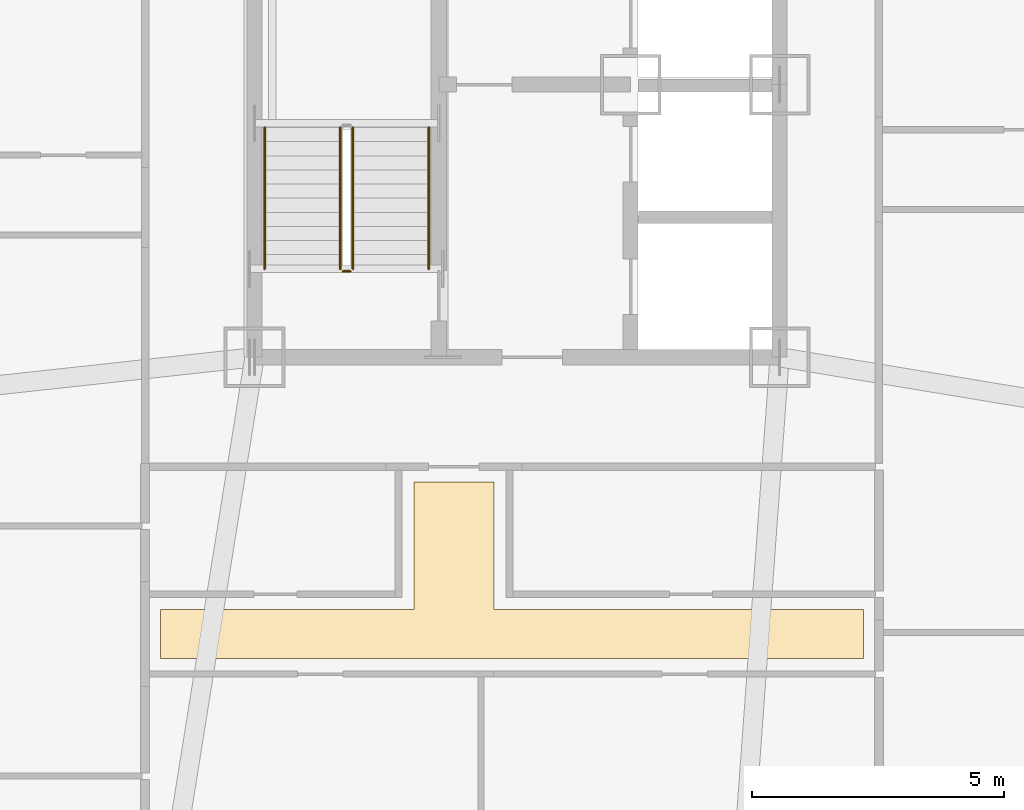
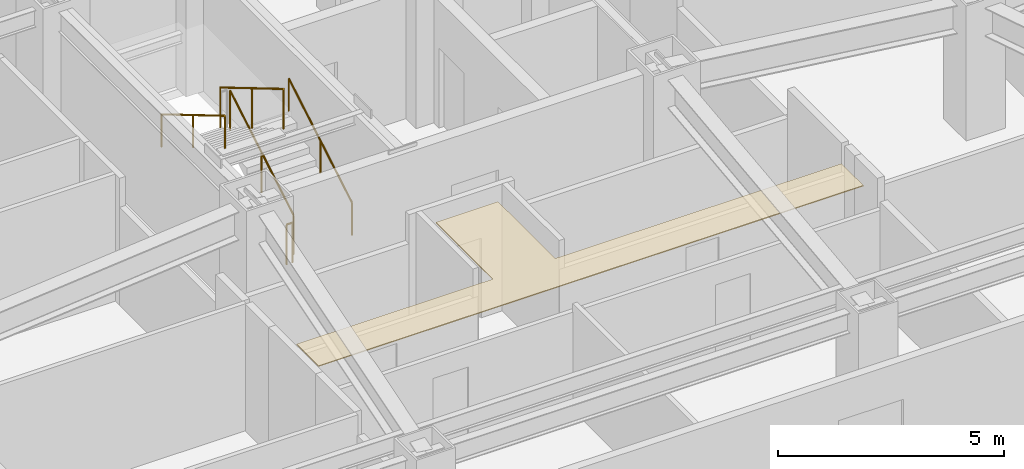
# One storey, part 13 of 15: 5 railings, 1 covering.
"""IFC4 building model written with IfcOpenShell, lengths in metres."""

from ifc_helpers import new_model, si_unit, direction, frame, origin, origin_2d, place, context, subcontext, project, spatial, polyline, circle, outline, extrude, material, layer, layer_set, type_object, element, save


model = new_model("IFC4")

# Units and contexts
model_context = context("Model", 3, precision=1e-05, world=origin(), true_north=direction((0.0, 1.0)))
body_context = subcontext(model_context, "Body", "Model", "MODEL_VIEW")
ifc_project = project(units=[si_unit("LENGTHUNIT", "METRE"), si_unit("AREAUNIT", "SQUARE_METRE"), si_unit("VOLUMEUNIT", "CUBIC_METRE"), si_unit("PLANEANGLEUNIT", "RADIAN"), si_unit("MASSUNIT", "GRAM", prefix="KILO")], contexts=[model_context])

# Site, building, storey
site_placement = place(None, origin())
site = spatial("IfcSite", under=ifc_project, at=site_placement, CompositionType="ELEMENT")
building_placement = place(site_placement, origin())
building = spatial("IfcBuilding", under=site, at=building_placement, Name="Khamvora Tower", CompositionType="ELEMENT")
storey_placement = place(building_placement, frame((0.0, 0.0, 101.89990234375)))
storey = spatial("IfcBuildingStorey", under=building, at=storey_placement, Name="L25", CompositionType="ELEMENT", Elevation=101.89990234375)

# Covering
ifc_material_1 = material(Name="Perforated Mineral-Fibre Acoustic Ceiling Tile", Category="gypsum")
ifc_layer = layer(ifc_material_1, 0.02490234375)
ifc_layer_set = layer_set([ifc_layer], Name="Perforated Mineral-Fibre Acoustic Ceiling Tile")
covering_type = type_object("IfcCoveringType", Name="COV-CEIL-600", PredefinedType="CEILING", material=ifc_layer_set)
covering_placement = place(storey_placement, frame((0.0, 0.0, 3.150146484375)))
element("IfcCovering", 1, at=covering_placement, inside=storey, type_object=covering_type, Name="L25 Apartment 25SA Living and Dining Room acoustic ceiling panel", PredefinedType="CEILING", context=body_context, shape_type="SweptSolid", body=[
    extrude(outline(polyline([(27.139892578125, 13.030029296875), (27.139892578125, 14.0), (32.155029296875, 14.0), (32.155029296875, 16.530029296875), (33.7451171875, 16.530029296875), (33.7451171875, 14.0), (41.06005859375, 14.0), (41.06005859375, 13.030029296875), (27.139892578125, 13.030029296875)])), origin(), (0.0, 0.0, 1.0), 0.02490234375),
])

# Railings
ifc_material_2 = material(Name="Brushed Stainless Steel 316", Category="steel")
railing_type_1 = type_object("IfcRailingType", Name="RAL-HDR-920", PredefinedType="HANDRAIL", material=ifc_material_2)
railing_1_placement = place(storey_placement, frame((32.449951171875, 20.75, 0.166015625)))
element("IfcRailing", 2, at=railing_1_placement, inside=storey, type_object=railing_type_1, Name="L25 ST-01 stair handrail 1", PredefinedType="HANDRAIL", context=body_context, shape_type="SweptSolid", body=[
    extrude(circle(Radius=0.02392578125, at=origin_2d()), frame((0.0, 0.0, 0.8759765625), z_axis=(0.0, 0.860306154799, 0.50977771628), x_axis=(-1.0, 0.0, 0.0)), (0.0, 0.0, 1.0), 3.254638671875),
    extrude(circle(Radius=0.02099609375, at=origin_2d()), origin(), (0.0, 0.0, 1.0), 0.851806640625),
    extrude(circle(Radius=0.02099609375, at=origin_2d()), frame((0.0, 1.39990234375, 0.82958984375)), (0.0, 0.0, 1.0), 0.851806640625),
    extrude(circle(Radius=0.02099609375, at=origin_2d()), frame((0.0, 2.800048828125, 1.6591796875)), (0.0, 0.0, 1.0), 0.851806640625),
])
railing_2_placement = place(storey_placement, frame((29.199951171875, 23.550048828125, 1.990966796875)))
element("IfcRailing", 3, at=railing_2_placement, inside=storey, type_object=railing_type_1, Name="L25 ST-01 stair handrail 2", PredefinedType="HANDRAIL", context=body_context, shape_type="SweptSolid", body=[
    extrude(circle(Radius=0.02392578125, at=origin_2d()), frame((0.0, 0.0, 0.8759765625), z_axis=(0.0, -0.860306154799, 0.50977771628), x_axis=(1.0, 0.0, 0.0)), (0.0, 0.0, 1.0), 3.254638671875),
    extrude(circle(Radius=0.02099609375, at=origin_2d()), origin(), (0.0, 0.0, 1.0), 0.851806640625),
    extrude(circle(Radius=0.02099609375, at=origin_2d()), frame((0.0, -1.39990234375, 0.82958984375)), (0.0, 0.0, 1.0), 0.851806640625),
    extrude(circle(Radius=0.02099609375, at=origin_2d()), frame((0.0, -2.800048828125, 1.6591796875)), (0.0, 0.0, 1.0), 0.851806640625),
])
ifc_material_3 = material(Name="Stainless Steel 316", Category="steel")
railing_type_2 = type_object("IfcRailingType", Name="RAL-STG-1100", PredefinedType="GUARDRAIL", material=ifc_material_3)
railing_3_placement = place(storey_placement, frame((30.949951171875, 20.75, 0.166015625)))
element("IfcRailing", 4, at=railing_3_placement, inside=storey, type_object=railing_type_2, Name="L25 ST-01 stair guard 1", PredefinedType="GUARDRAIL", context=body_context, shape_type="SweptSolid", body=[
    extrude(circle(Radius=0.02392578125, at=origin_2d()), frame((0.0, 0.0, 1.076171875), z_axis=(0.0, 0.860306154799, 0.50977771628), x_axis=(-1.0, 0.0, 0.0)), (0.0, 0.0, 1.0), 3.254638671875),
    extrude(circle(Radius=0.02099609375, at=origin_2d()), origin(), (0.0, 0.0, 1.0), 1.052001953125),
    extrude(circle(Radius=0.02099609375, at=origin_2d()), frame((0.0, 1.39990234375, 0.82958984375)), (0.0, 0.0, 1.0), 1.052001953125),
    extrude(circle(Radius=0.02099609375, at=origin_2d()), frame((0.0, 2.800048828125, 1.6591796875)), (0.0, 0.0, 1.0), 1.052001953125),
])
railing_4_placement = place(storey_placement, frame((30.699951171875, 23.550048828125, 1.990966796875)))
element("IfcRailing", 5, at=railing_4_placement, inside=storey, type_object=railing_type_2, Name="L25 ST-01 stair guard 3", PredefinedType="GUARDRAIL", context=body_context, shape_type="SweptSolid", body=[
    extrude(circle(Radius=0.02392578125, at=origin_2d()), frame((0.0, 0.0, 1.076171875), z_axis=(0.0, -0.860306154799, 0.50977771628), x_axis=(1.0, 0.0, 0.0)), (0.0, 0.0, 1.0), 3.254638671875),
    extrude(circle(Radius=0.02099609375, at=origin_2d()), origin(), (0.0, 0.0, 1.0), 1.052001953125),
    extrude(circle(Radius=0.02099609375, at=origin_2d()), frame((0.0, -1.39990234375, 0.82958984375)), (0.0, 0.0, 1.0), 1.052001953125),
    extrude(circle(Radius=0.02099609375, at=origin_2d()), frame((0.0, -2.800048828125, 1.6591796875)), (0.0, 0.0, 1.0), 1.052001953125),
])
railing_5_placement = place(storey_placement, frame((30.89990234375, 20.699951171875, 0.0)))
element("IfcRailing", 6, at=railing_5_placement, inside=storey, type_object=railing_type_2, Name="L25 ST-01 stair guard 4", PredefinedType="GUARDRAIL", context=body_context, shape_type="SweptSolid", body=[
    extrude(circle(Radius=0.02392578125, at=origin_2d()), frame((0.0, 0.0, 1.076171875), z_axis=(-1.0, 0.0, 0.0), x_axis=(0.0, -1.0, 0.0)), (0.0, 0.0, 1.0), 0.14990234375),
    extrude(circle(Radius=0.02099609375, at=origin_2d()), origin(), (0.0, 0.0, 1.0), 1.052001953125),
    extrude(circle(Radius=0.02099609375, at=origin_2d()), frame((-0.14990234375, 0.0, 0.0)), (0.0, 0.0, 1.0), 1.052001953125),
])

save(model, "model.ifc")
